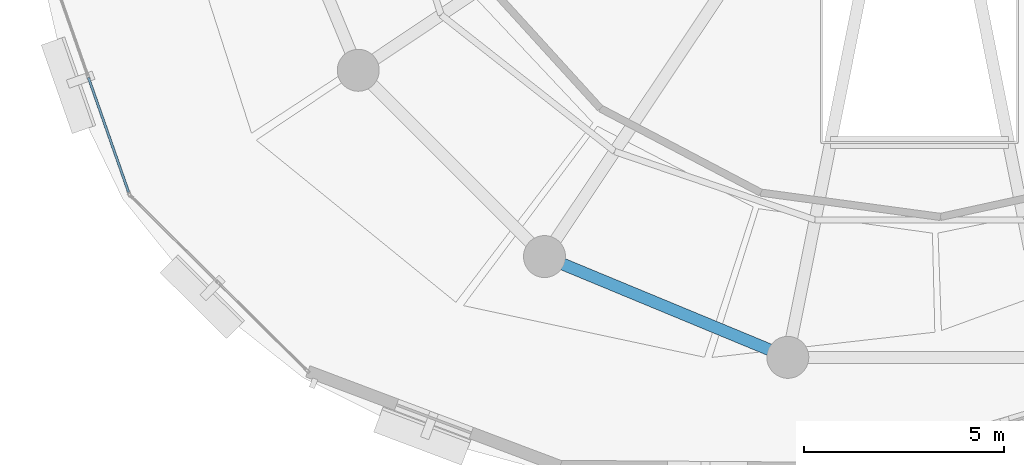
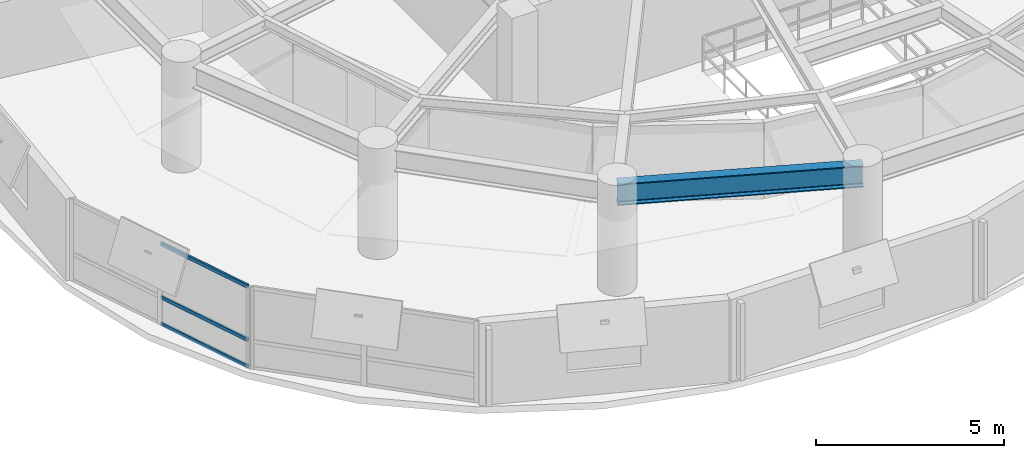
# One storey, part 3 of 12: 3 members, 1 beam, 1 element without a shape of its own.
"""IFC4 building model written with IfcOpenShell, lengths in metres."""

from ifc_helpers import new_model, si_unit, direction, frame, origin, origin_2d, place, context, subcontext, project, spatial, hollow_rectangle, i_section, extrude, material, layer, layer_set, material_profile, profile_set, type_object, element, aggregate, save


model = new_model("IFC4")

# Units and contexts
model_context = context("Model", 3, precision=1e-05, world=origin(), true_north=direction((0.0, 1.0)))
body_context = subcontext(model_context, "Body", "Model", "MODEL_VIEW")
ifc_project = project(units=[si_unit("LENGTHUNIT", "METRE"), si_unit("AREAUNIT", "SQUARE_METRE"), si_unit("VOLUMEUNIT", "CUBIC_METRE"), si_unit("PLANEANGLEUNIT", "RADIAN"), si_unit("MASSUNIT", "GRAM", prefix="KILO"), si_unit("THERMODYNAMICTEMPERATUREUNIT", "KELVIN"), si_unit("POWERUNIT", "WATT")], contexts=[model_context])

# Site, building, storey
site_placement = place(None, origin())
site = spatial("IfcSite", under=ifc_project, at=site_placement, CompositionType="ELEMENT")
building_placement = place(site_placement, origin())
building = spatial("IfcBuilding", under=site, at=building_placement, Name="Ocrelia Relay Tower", CompositionType="ELEMENT")
storey_placement = place(building_placement, frame((0.0, 0.0, 170.0)))
storey = spatial("IfcBuildingStorey", under=building, at=storey_placement, Name="L40", CompositionType="ELEMENT", Elevation=170.0)

# Beam
ifc_material_1 = material(Name="Steel S355", Category="steel")
ifc_material_profile_1 = material_profile(ifc_material_1, i_section(OverallWidth=0.300048828125, OverallDepth=0.699951171875, WebThickness=0.01708984375, FlangeThickness=0.031982421875, FilletRadius=0.027099609375, at=origin_2d()), Name="HEB 700")
ifc_profile_set_1 = profile_set([ifc_material_profile_1], Name="Steel S355")
beam_type = type_object("IfcBeamType", Name="BM-HEB700", PredefinedType="BEAM", material=ifc_profile_set_1)
beam_placement = place(storey_placement, frame((24.61083984375, 11.9482421875, 3.030029296875), z_axis=(0.923877844151, -0.382687508402, 0.0), x_axis=(0.382687508402, 0.923877844151, 0.0)))
element("IfcBeam", 1, at=beam_placement, inside=storey, type_object=beam_type, Name="L40 Perimeter Spandrel Beam S11", PredefinedType="BEAM", context=body_context, shape_type="SweptSolid", body=[
    extrude(i_section(OverallWidth=0.300048828125, OverallDepth=0.699951171875, WebThickness=0.01708984375, FlangeThickness=0.031982421875, FilletRadius=0.027099609375, at=origin_2d()), origin(), (0.0, 0.0, 1.0), 6.593994140625),
])

# Curtain wall, members
ifc_material_2 = material(Name="Aluminium and solar-control low-E glass", Category="aluminium")
ifc_layer = layer(ifc_material_2, 0.179931640625, Name="Aluminium and solar-control low-E glass")
ifc_layer_set = layer_set([ifc_layer], Name="Aluminium and solar-control low-E glass")
curtain_wall_type = type_object("IfcCurtainWallType", Name="CW-SYS-Z3-CLOU", PredefinedType="NOTDEFINED", material=ifc_layer_set)
curtain_wall_placement = place(storey_placement, origin())
curtain_wall = element("IfcCurtainWall", 2, at=curtain_wall_placement, inside=storey, type_object=curtain_wall_type, Name="L40 Elliptical Tower Curtain Wall Bay 09", PredefinedType="NOTDEFINED")
ifc_material_3 = material(Name="Anodised bronze aluminium", Category="aluminium")
ifc_material_profile_2 = material_profile(ifc_material_3, hollow_rectangle(XDim=0.06005859375, YDim=0.1201171875, WallThickness=0.0048828125, at=origin_2d()), Name="CW-TRN-120x60")
ifc_profile_set_2 = profile_set([ifc_material_profile_2], Name="Anodised bronze aluminium")
member_type = type_object("IfcMemberType", Name="CW-SYS-Z3-CLOU-TRN", PredefinedType="USERDEFINED", material=ifc_profile_set_2)
member_1_placement = place(storey_placement, frame((13.1923828125, 16.429931640625, 0.030029296875), z_axis=(0.330868438527, -0.943676891943, 0.0), x_axis=(0.943676891943, 0.330868438527, 0.0)))
member_1 = element("IfcMember", 3, at=member_1_placement, type_object=member_type, Name="CW-Z3 transom 2.1", ObjectType="TRANSOM", PredefinedType="USERDEFINED", context=body_context, shape_type="SweptSolid", body=[
    extrude(hollow_rectangle(XDim=0.06005859375, YDim=0.1201171875, WallThickness=0.0048828125, at=origin_2d()), origin(), (0.0, 0.0, 1.0), 3.043701171875),
])
member_2_placement = place(storey_placement, frame((13.1923828125, 16.429931640625, 0.89990234375), z_axis=(0.330868438527, -0.943676891943, 0.0), x_axis=(0.943676891943, 0.330868438527, 0.0)))
member_2 = element("IfcMember", 4, at=member_2_placement, type_object=member_type, Name="CW-Z3 transom 2.2", ObjectType="TRANSOM", PredefinedType="USERDEFINED", context=body_context, shape_type="SweptSolid", body=[
    extrude(hollow_rectangle(XDim=0.06005859375, YDim=0.1201171875, WallThickness=0.0048828125, at=origin_2d()), origin(), (0.0, 0.0, 1.0), 3.043701171875),
])
member_3_placement = place(storey_placement, frame((13.1923828125, 16.429931640625, 2.6298828125), z_axis=(0.330868438527, -0.943676891943, 0.0), x_axis=(0.943676891943, 0.330868438527, 0.0)))
member_3 = element("IfcMember", 5, at=member_3_placement, type_object=member_type, Name="CW-Z3 transom 2.3", ObjectType="TRANSOM", PredefinedType="USERDEFINED", context=body_context, shape_type="SweptSolid", body=[
    extrude(hollow_rectangle(XDim=0.06005859375, YDim=0.1201171875, WallThickness=0.0048828125, at=origin_2d()), origin(), (0.0, 0.0, 1.0), 3.043701171875),
])
aggregate(curtain_wall, [member_1, member_2, member_3])

save(model, "model.ifc")
